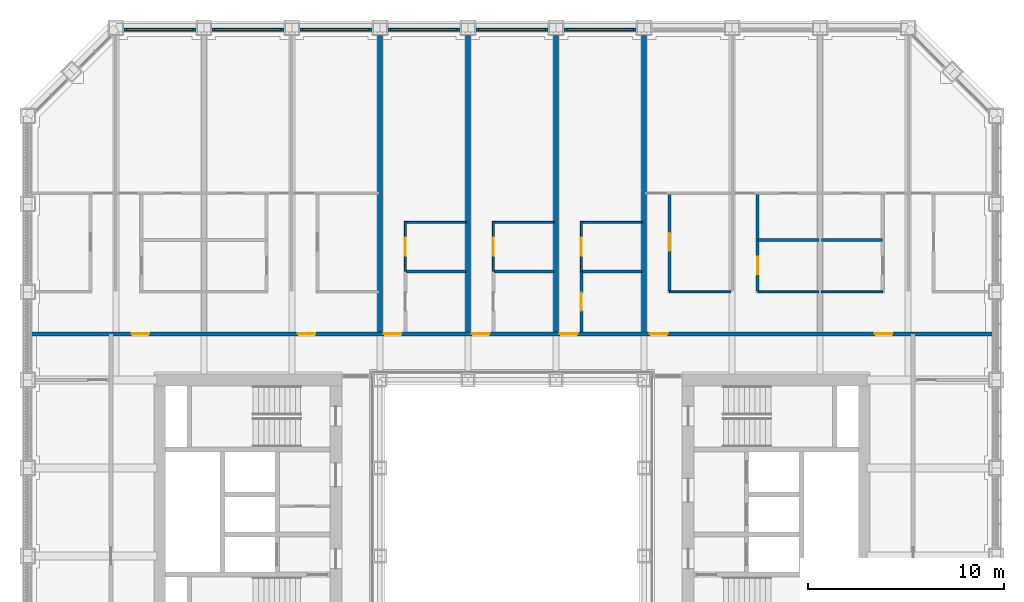
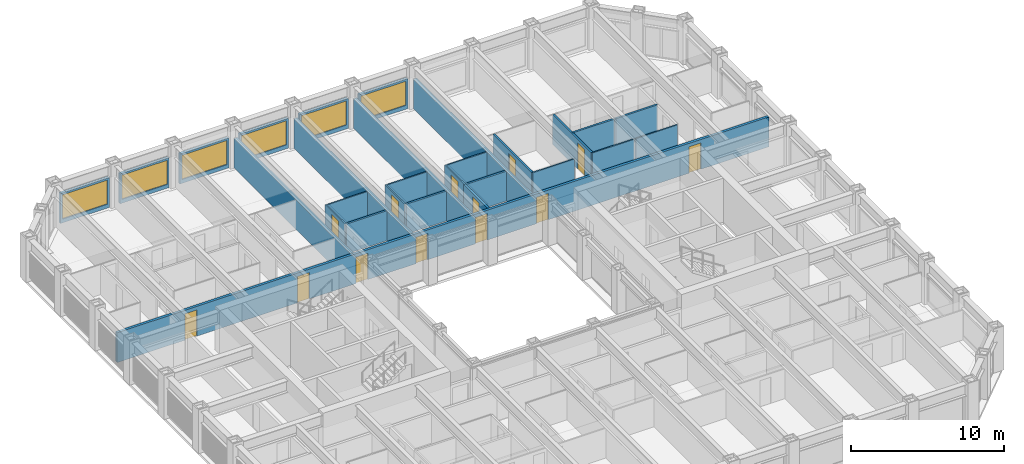
# One storey, part 14 of 21: 28 walls, 13 doors, 6 windows, 19 openings.
"""IFC4 building model written with IfcOpenShell, lengths in metres."""

import ifcopenshell
import ifcopenshell.guid

model = None  # the IFC model being written
_history = None  # IfcOwnerHistory: only IFC2X3 demands one
_inside = {}  # id of a spatial element -> (the spatial element, [elements in it])
_under = {}  # id of a project, library or spatial element -> (it, [spatial elements below it])
_declared = {}  # id of a project -> (the project, [libraries it declares])
_typed = {}  # id of a type object -> (the type object, [elements of that type])
_made_of = {}  # id of a material, layer set ... -> (it, [elements and type objects made of it])


def new_model(schema):
    """Start an empty IFC model of exactly this schema.

    Asked for "IFC4X3", IfcOpenShell would pick the latest addendum, in which some entities
    have other attributes; the version numbers below select the first issue.
    IFC2X3 requires an IfcOwnerHistory on every rooted entity: one is made here for all.
    """
    global model, _history
    if schema == "IFC4X3":
        model = ifcopenshell.file(schema_version=(4, 3, 0, 0))
    else:
        model = ifcopenshell.file(schema=schema)
    _inside.clear()
    _under.clear()
    _declared.clear()
    _typed.clear()
    _made_of.clear()
    _history = None
    if model.schema == "IFC2X3":
        org = make("IfcOrganization", Name="unknown")
        user = make(
            "IfcPersonAndOrganization",
            ThePerson=make("IfcPerson", FamilyName="unknown"),
            TheOrganization=org,
        )
        app = make(
            "IfcApplication",
            ApplicationDeveloper=org,
            Version="unknown",
            ApplicationFullName="unknown",
            ApplicationIdentifier="unknown",
        )
        _history = make(
            "IfcOwnerHistory",
            OwningUser=user,
            OwningApplication=app,
            ChangeAction="ADDED",
            CreationDate=0,
        )
    return model


def make(cls, **values):
    """One entity of the class cls with the attributes given. An attribute that is None is left unset."""
    return model.create_entity(
        cls, **{name: value for name, value in values.items() if value is not None}
    )


def rooted(cls, **values):
    """An entity with a GlobalId (a new one), such as an element, a storey or a relation."""
    return make(cls, GlobalId=ifcopenshell.guid.new(), OwnerHistory=_history, **values)


def si_unit(unit_type, name, prefix=None):
    """IfcSIUnit, for example si_unit("LENGTHUNIT", "METRE", prefix="MILLI")."""
    return make("IfcSIUnit", UnitType=unit_type, Prefix=prefix, Name=name)


def assignment(units):
    """IfcUnitAssignment: the units of a project."""
    return None if units is None else make("IfcUnitAssignment", Units=units)


def point(xyz):
    """IfcCartesianPoint."""
    return None if xyz is None else make("IfcCartesianPoint", Coordinates=xyz)


def direction(xyz):
    """IfcDirection."""
    return None if xyz is None else make("IfcDirection", DirectionRatios=xyz)


def frame(location, z_axis=None, x_axis=None):
    """IfcAxis2Placement3D, a coordinate frame: its origin and axes. An axis left out is left unset."""
    return make(
        "IfcAxis2Placement3D",
        Location=point(location),
        Axis=direction(z_axis),
        RefDirection=direction(x_axis),
    )


def frame_2d(location, x_axis=None):
    """IfcAxis2Placement2D, a coordinate frame in the plane: its origin and x axis."""
    return make(
        "IfcAxis2Placement2D", Location=point(location), RefDirection=direction(x_axis)
    )


def origin():
    """The frame at (0, 0, 0) with its axes left unset."""
    return frame((0.0, 0.0, 0.0))


def place(relative_to, where):
    """IfcLocalPlacement: puts the frame where relative to a parent placement (None: the world)."""
    return make(
        "IfcLocalPlacement", PlacementRelTo=relative_to, RelativePlacement=where
    )


def context(
    kind, dimensions, precision=None, world=None, true_north=None, identifier=None
):
    """IfcGeometricRepresentationContext, for example the 3D "Model" context."""
    return make(
        "IfcGeometricRepresentationContext",
        ContextIdentifier=identifier,
        ContextType=kind,
        CoordinateSpaceDimension=dimensions,
        Precision=precision,
        WorldCoordinateSystem=world,
        TrueNorth=true_north,
    )


def subcontext(parent, identifier, kind, view, scale=None):
    """IfcGeometricRepresentationSubContext, for example "Body" below "Model"."""
    return make(
        "IfcGeometricRepresentationSubContext",
        ContextIdentifier=identifier,
        ContextType=kind,
        ParentContext=parent,
        TargetScale=scale,
        TargetView=view,
    )


def project(units=None, contexts=None):
    """IfcProject with its units and contexts."""
    return rooted(
        "IfcProject",
        Name="project",
        RepresentationContexts=contexts,
        UnitsInContext=assignment(units),
    )


def spatial(cls, under=None, at=None, **own):
    """A site, building, storey or space (cls), placed at a placement, below another one or the project."""
    s = rooted(cls, ObjectPlacement=at, **own)
    if under is not None:
        _under.setdefault(under.id(), (under, []))[1].append(s)
    return s


def profile(cls, at=None, kind="AREA", **sizes):
    """A parametric profile (cls). Its sizes go by their IFC names, for example OverallWidth=200.0."""
    return make(cls, ProfileType=kind, Position=at, **sizes)


def rectangle(**sizes):
    """IfcRectangleProfileDef."""
    return profile("IfcRectangleProfileDef", **sizes)


def extrude(swept, where, along, depth):
    """IfcExtrudedAreaSolid: the profile swept, set in the frame where, extruded along a direction by depth."""
    return make(
        "IfcExtrudedAreaSolid",
        SweptArea=swept,
        Position=where,
        ExtrudedDirection=direction(along),
        Depth=depth,
    )


def shape(context_of_items, identifier, shape_type, items):
    """IfcShapeRepresentation: the items that make up one representation, for example the "Body"."""
    return make(
        "IfcShapeRepresentation",
        ContextOfItems=context_of_items,
        RepresentationIdentifier=identifier,
        RepresentationType=shape_type,
        Items=items,
    )


def material(Name=None, Category=None):
    """IfcMaterial."""
    return make("IfcMaterial", Name=Name, Category=Category)


def layer(
    of_material, thickness, ventilated=None, Name=None, Category=None, Priority=None
):
    """IfcMaterialLayer: one layer of a wall or slab, of a material (None: an air gap)."""
    return make(
        "IfcMaterialLayer",
        Material=of_material,
        LayerThickness=thickness,
        IsVentilated=ventilated,
        Name=Name,
        Category=Category,
        Priority=Priority,
    )


def layer_set(layers, Name=None):
    """IfcMaterialLayerSet."""
    return make("IfcMaterialLayerSet", MaterialLayers=layers, LayerSetName=Name)


def made_of(thing, what):
    """Note that an element or type object is made of a material, layer set ...; save() writes the relation."""
    if what is not None:
        _made_of.setdefault(what.id(), (what, []))[1].append(thing)
    return thing


def type_object(cls, material=None, **own):
    """A type object (cls), such as IfcWallType, which elements share."""
    return made_of(rooted(cls, **own), material)


def element(
    cls,
    number,
    at=None,
    inside=None,
    cuts=None,
    type_object=None,
    material=None,
    context=None,
    identifier="Body",
    shape_type=None,
    held_by="IfcProductDefinitionShape",
    body=None,
    shapes=None,
    **own,
):
    """One element of the class cls, such as IfcWall. Its Tag is "e" and its number.

    at: its placement. inside: the storey or other place that contains it. cuts: it is an
    opening in that element (IfcRelVoidsElement). A single representation is given by context,
    identifier, shape_type and body (its items); several are given by shapes. held_by: the class
    of the entity that holds the representations. save() writes the other relations.
    """
    e = rooted(cls, Tag="e%d" % number, ObjectPlacement=at, **own)
    if body is not None:
        shapes = [shape(context, identifier, shape_type, body)]
    if shapes is not None:
        e.Representation = make(held_by, Representations=shapes)
    if inside is not None:
        _inside.setdefault(inside.id(), (inside, []))[1].append(e)
    if cuts is not None:
        rooted(
            "IfcRelVoidsElement", RelatingBuildingElement=cuts, RelatedOpeningElement=e
        )
    if type_object is not None:
        _typed.setdefault(type_object.id(), (type_object, []))[1].append(e)
    return made_of(e, material)


def fill(opening, filler):
    """IfcRelFillsElement: the door or window that sits in an opening."""
    return rooted(
        "IfcRelFillsElement",
        RelatingOpeningElement=opening,
        RelatedBuildingElement=filler,
    )


def aggregate(whole, parts):
    """IfcRelAggregates: a whole, such as a stair, and the parts it consists of."""
    return rooted("IfcRelAggregates", RelatingObject=whole, RelatedObjects=parts)


def save(model, path):
    """Write the relations noted so far, then the file.

    IfcRelAggregates (storeys below a building ...), IfcRelContainedInSpatialStructure (elements
    in a storey), IfcRelDefinesByType, IfcRelAssociatesMaterial and IfcRelDeclares: one each for
    every whole, place, type object, material and project.
    """
    for whole, parts in _under.values():
        aggregate(whole, parts)
    for where, things in _inside.values():
        rooted(
            "IfcRelContainedInSpatialStructure",
            RelatedElements=things,
            RelatingStructure=where,
        )
    for kind, things in _typed.values():
        rooted("IfcRelDefinesByType", RelatedObjects=things, RelatingType=kind)
    for what, things in _made_of.values():
        rooted("IfcRelAssociatesMaterial", RelatedObjects=things, RelatingMaterial=what)
    for by, libraries in _declared.values():
        rooted("IfcRelDeclares", RelatingContext=by, RelatedDefinitions=libraries)
    model.write(path)


model = new_model("IFC4")

# Units and contexts
model_context = context("Model", 3, precision=1e-05, world=origin(), true_north=direction((0.0, 1.0)))
body_context = subcontext(model_context, "Body", "Model", "MODEL_VIEW")
ifc_project = project(units=[si_unit("LENGTHUNIT", "METRE"), si_unit("AREAUNIT", "SQUARE_METRE"), si_unit("VOLUMEUNIT", "CUBIC_METRE"), si_unit("PLANEANGLEUNIT", "RADIAN"), si_unit("MASSUNIT", "GRAM", prefix="KILO")], contexts=[model_context])

# Site, building, storey
site_placement = place(None, origin())
site = spatial("IfcSite", under=ifc_project, at=site_placement, CompositionType="ELEMENT")
building_placement = place(site_placement, origin())
building = spatial("IfcBuilding", under=site, at=building_placement, Name="Msasa Ring Tower", CompositionType="ELEMENT")
storey_placement = place(building_placement, frame((0.0, 0.0, 40.5)))
storey = spatial("IfcBuildingStorey", under=building, at=storey_placement, Name="L09", CompositionType="ELEMENT", Elevation=40.5)

# Wall, opening, window
ifc_material_1 = material(Name="Terracotta rainscreen on blockwork", Category="masonry")
ifc_layer_1 = layer(ifc_material_1, 0.199951171875)
ifc_layer_set_1 = layer_set([ifc_layer_1], Name="FW1 TERRACOTTA-LINED INFILL BAY WALL 200")
wall_type_1 = type_object("IfcWallType", Name="FW1 TERRACOTTA-LINED INFILL BAY WALL 200", PredefinedType="SOLIDWALL", material=ifc_layer_set_1)
wall_1_placement = place(storey_placement, frame((-19.844970703125, 24.64990234375, 0.0), z_axis=(0.0, 0.0, 1.0), x_axis=(1.0, 0.0, 0.0)))
wall_1 = element("IfcWall", 1, at=wall_1_placement, inside=storey, type_object=wall_type_1, Name="Infill bay wall N L09 22", PredefinedType="SOLIDWALL", context=body_context, shape_type="SweptSolid", body=[
    extrude(rectangle(XDim=3.68994140625, YDim=0.199951171875, at=frame_2d((1.844970703125, 0.0))), origin(), (0.0, 0.0, 1.0), 2.37890625),
])
opening_1_placement = place(wall_1_placement, frame((0.14501953125, 0.0, 0.300048828125)))
opening_1 = element("IfcOpeningElement", 2, at=opening_1_placement, cuts=wall_1, Name="Opening WN1", PredefinedType="OPENING", context=body_context, shape_type="SweptSolid", body=[
    extrude(rectangle(XDim=3.39990234375, YDim=1.928955078125, at=frame_2d((1.699951171875, 0.96435546875))), frame((0.0, 0.10986328125, 0.0), z_axis=(0.0, -1.0, 0.0), x_axis=(1.0, 0.0, 0.0)), (0.0, 0.0, 1.0), 0.219970703125),
])
ifc_material_2 = material(Name="Aluminium frame with clear glass", Category="aluminium")
window_type = type_object("IfcWindowType", Name="WN1 RESIDENCE WINDOW 3400x1929", PartitioningType="SINGLE_PANEL", PredefinedType="WINDOW", material=ifc_material_2)
window_1_placement = place(opening_1_placement, origin())
window_1 = element("IfcWindow", 3, at=window_1_placement, inside=storey, type_object=window_type, Name="Window N L09 22", OverallHeight=1.928955078125, OverallWidth=3.39990234375, PartitioningType="SINGLE_PANEL", PredefinedType="WINDOW", context=body_context, shape_type="SweptSolid", body=[
    extrude(rectangle(XDim=3.39990234375, YDim=1.928955078125, at=frame_2d((1.699951171875, 0.96435546875))), frame((0.0, 0.030029296875, 0.0), z_axis=(0.0, -1.0, 0.0), x_axis=(1.0, 0.0, 0.0)), (0.0, 0.0, 1.0), 0.06005859375),
])
fill(opening_1, window_1)

wall_2_placement = place(storey_placement, frame((-15.344970703125, 24.64990234375, 0.0), z_axis=(0.0, 0.0, 1.0), x_axis=(1.0, 0.0, 0.0)))
wall_2 = element("IfcWall", 4, at=wall_2_placement, inside=storey, type_object=wall_type_1, Name="Infill bay wall N L09 23", PredefinedType="SOLIDWALL", context=body_context, shape_type="SweptSolid", body=[
    extrude(rectangle(XDim=3.68994140625, YDim=0.199951171875, at=frame_2d((1.844970703125, 0.0))), origin(), (0.0, 0.0, 1.0), 2.37890625),
])
opening_2_placement = place(wall_2_placement, frame((0.14501953125, 0.0, 0.300048828125)))
opening_2 = element("IfcOpeningElement", 5, at=opening_2_placement, cuts=wall_2, Name="Opening WN1", PredefinedType="OPENING", context=body_context, shape_type="SweptSolid", body=[
    extrude(rectangle(XDim=3.39990234375, YDim=1.928955078125, at=frame_2d((1.699951171875, 0.96435546875))), frame((0.0, 0.10986328125, 0.0), z_axis=(0.0, -1.0, 0.0), x_axis=(1.0, 0.0, 0.0)), (0.0, 0.0, 1.0), 0.219970703125),
])
window_2_placement = place(opening_2_placement, origin())
window_2 = element("IfcWindow", 6, at=window_2_placement, inside=storey, type_object=window_type, Name="Window N L09 23", OverallHeight=1.928955078125, OverallWidth=3.39990234375, PartitioningType="SINGLE_PANEL", PredefinedType="WINDOW", context=body_context, shape_type="SweptSolid", body=[
    extrude(rectangle(XDim=3.39990234375, YDim=1.928955078125, at=frame_2d((1.699951171875, 0.96435546875))), frame((0.0, 0.030029296875, 0.0), z_axis=(0.0, -1.0, 0.0), x_axis=(1.0, 0.0, 0.0)), (0.0, 0.0, 1.0), 0.06005859375),
])
fill(opening_2, window_2)

wall_3_placement = place(storey_placement, frame((-10.844970703125, 24.64990234375, 0.0), z_axis=(0.0, 0.0, 1.0), x_axis=(1.0, 0.0, 0.0)))
wall_3 = element("IfcWall", 7, at=wall_3_placement, inside=storey, type_object=wall_type_1, Name="Infill bay wall N L09 24", PredefinedType="SOLIDWALL", context=body_context, shape_type="SweptSolid", body=[
    extrude(rectangle(XDim=3.68994140625, YDim=0.199951171875, at=frame_2d((1.844970703125, 0.0))), origin(), (0.0, 0.0, 1.0), 2.37890625),
])
opening_3_placement = place(wall_3_placement, frame((0.14501953125, 0.0, 0.300048828125)))
opening_3 = element("IfcOpeningElement", 8, at=opening_3_placement, cuts=wall_3, Name="Opening WN1", PredefinedType="OPENING", context=body_context, shape_type="SweptSolid", body=[
    extrude(rectangle(XDim=3.39990234375, YDim=1.928955078125, at=frame_2d((1.699951171875, 0.96435546875))), frame((0.0, 0.10986328125, 0.0), z_axis=(0.0, -1.0, 0.0), x_axis=(1.0, 0.0, 0.0)), (0.0, 0.0, 1.0), 0.219970703125),
])
window_3_placement = place(opening_3_placement, origin())
window_3 = element("IfcWindow", 9, at=window_3_placement, inside=storey, type_object=window_type, Name="Window N L09 24", OverallHeight=1.928955078125, OverallWidth=3.39990234375, PartitioningType="SINGLE_PANEL", PredefinedType="WINDOW", context=body_context, shape_type="SweptSolid", body=[
    extrude(rectangle(XDim=3.39990234375, YDim=1.928955078125, at=frame_2d((1.699951171875, 0.96435546875))), frame((0.0, 0.030029296875, 0.0), z_axis=(0.0, -1.0, 0.0), x_axis=(1.0, 0.0, 0.0)), (0.0, 0.0, 1.0), 0.06005859375),
])
fill(opening_3, window_3)

wall_4_placement = place(storey_placement, frame((-6.344970703125, 24.64990234375, 0.0), z_axis=(0.0, 0.0, 1.0), x_axis=(1.0, 0.0, 0.0)))
wall_4 = element("IfcWall", 10, at=wall_4_placement, inside=storey, type_object=wall_type_1, Name="Infill bay wall N L09 25", PredefinedType="SOLIDWALL", context=body_context, shape_type="SweptSolid", body=[
    extrude(rectangle(XDim=3.68994140625, YDim=0.199951171875, at=frame_2d((1.844970703125, 0.0))), origin(), (0.0, 0.0, 1.0), 2.37890625),
])
opening_4_placement = place(wall_4_placement, frame((0.14501953125, 0.0, 0.300048828125)))
opening_4 = element("IfcOpeningElement", 11, at=opening_4_placement, cuts=wall_4, Name="Opening WN1", PredefinedType="OPENING", context=body_context, shape_type="SweptSolid", body=[
    extrude(rectangle(XDim=3.39990234375, YDim=1.928955078125, at=frame_2d((1.699951171875, 0.96435546875))), frame((0.0, 0.10986328125, 0.0), z_axis=(0.0, -1.0, 0.0), x_axis=(1.0, 0.0, 0.0)), (0.0, 0.0, 1.0), 0.219970703125),
])
window_4_placement = place(opening_4_placement, origin())
window_4 = element("IfcWindow", 12, at=window_4_placement, inside=storey, type_object=window_type, Name="Window N L09 25", OverallHeight=1.928955078125, OverallWidth=3.39990234375, PartitioningType="SINGLE_PANEL", PredefinedType="WINDOW", context=body_context, shape_type="SweptSolid", body=[
    extrude(rectangle(XDim=3.39990234375, YDim=1.928955078125, at=frame_2d((1.699951171875, 0.96435546875))), frame((0.0, 0.030029296875, 0.0), z_axis=(0.0, -1.0, 0.0), x_axis=(1.0, 0.0, 0.0)), (0.0, 0.0, 1.0), 0.06005859375),
])
fill(opening_4, window_4)

wall_5_placement = place(storey_placement, frame((-1.844970703125, 24.64990234375, 0.0), z_axis=(0.0, 0.0, 1.0), x_axis=(1.0, 0.0, 0.0)))
wall_5 = element("IfcWall", 13, at=wall_5_placement, inside=storey, type_object=wall_type_1, Name="Infill bay wall N L09 26", PredefinedType="SOLIDWALL", context=body_context, shape_type="SweptSolid", body=[
    extrude(rectangle(XDim=3.68994140625, YDim=0.199951171875, at=frame_2d((1.844970703125, 0.0))), origin(), (0.0, 0.0, 1.0), 2.37890625),
])
opening_5_placement = place(wall_5_placement, frame((0.14501953125, 0.0, 0.300048828125)))
opening_5 = element("IfcOpeningElement", 14, at=opening_5_placement, cuts=wall_5, Name="Opening WN1", PredefinedType="OPENING", context=body_context, shape_type="SweptSolid", body=[
    extrude(rectangle(XDim=3.39990234375, YDim=1.928955078125, at=frame_2d((1.699951171875, 0.96435546875))), frame((0.0, 0.10986328125, 0.0), z_axis=(0.0, -1.0, 0.0), x_axis=(1.0, 0.0, 0.0)), (0.0, 0.0, 1.0), 0.219970703125),
])
window_5_placement = place(opening_5_placement, origin())
window_5 = element("IfcWindow", 15, at=window_5_placement, inside=storey, type_object=window_type, Name="Window N L09 26", OverallHeight=1.928955078125, OverallWidth=3.39990234375, PartitioningType="SINGLE_PANEL", PredefinedType="WINDOW", context=body_context, shape_type="SweptSolid", body=[
    extrude(rectangle(XDim=3.39990234375, YDim=1.928955078125, at=frame_2d((1.699951171875, 0.96435546875))), frame((0.0, 0.030029296875, 0.0), z_axis=(0.0, -1.0, 0.0), x_axis=(1.0, 0.0, 0.0)), (0.0, 0.0, 1.0), 0.06005859375),
])
fill(opening_5, window_5)

wall_6_placement = place(storey_placement, frame((2.655029296875, 24.64990234375, 0.0), z_axis=(0.0, 0.0, 1.0), x_axis=(1.0, 0.0, 0.0)))
wall_6 = element("IfcWall", 16, at=wall_6_placement, inside=storey, type_object=wall_type_1, Name="Infill bay wall N L09 27", PredefinedType="SOLIDWALL", context=body_context, shape_type="SweptSolid", body=[
    extrude(rectangle(XDim=3.68994140625, YDim=0.199951171875, at=frame_2d((1.844970703125, 0.0))), origin(), (0.0, 0.0, 1.0), 2.37890625),
])
opening_6_placement = place(wall_6_placement, frame((0.14501953125, 0.0, 0.300048828125)))
opening_6 = element("IfcOpeningElement", 17, at=opening_6_placement, cuts=wall_6, Name="Opening WN1", PredefinedType="OPENING", context=body_context, shape_type="SweptSolid", body=[
    extrude(rectangle(XDim=3.39990234375, YDim=1.928955078125, at=frame_2d((1.699951171875, 0.96435546875))), frame((0.0, 0.10986328125, 0.0), z_axis=(0.0, -1.0, 0.0), x_axis=(1.0, 0.0, 0.0)), (0.0, 0.0, 1.0), 0.219970703125),
])
window_6_placement = place(opening_6_placement, origin())
window_6 = element("IfcWindow", 18, at=window_6_placement, inside=storey, type_object=window_type, Name="Window N L09 27", OverallHeight=1.928955078125, OverallWidth=3.39990234375, PartitioningType="SINGLE_PANEL", PredefinedType="WINDOW", context=body_context, shape_type="SweptSolid", body=[
    extrude(rectangle(XDim=3.39990234375, YDim=1.928955078125, at=frame_2d((1.699951171875, 0.96435546875))), frame((0.0, 0.030029296875, 0.0), z_axis=(0.0, -1.0, 0.0), x_axis=(1.0, 0.0, 0.0)), (0.0, 0.0, 1.0), 0.06005859375),
])
fill(opening_6, window_6)

# Wall, openings, doors
ifc_material_3 = material(Name="Concrete blockwork", Category="masonry")
ifc_layer_2 = layer(ifc_material_3, 0.199951171875)
ifc_layer_set_2 = layer_set([ifc_layer_2], Name="PT1 CORRIDOR WALL 200")
wall_type_2 = type_object("IfcWallType", Name="PT1 CORRIDOR WALL 200", PredefinedType="PARTITIONING", material=ifc_layer_set_2)
wall_7_placement = place(storey_placement, frame((-24.550048828125, 9.10009765625, 0.0), z_axis=(0.0, 0.0, 1.0), x_axis=(1.0, 0.0, 0.0)))
wall_7 = element("IfcWall", 19, at=wall_7_placement, inside=storey, type_object=wall_type_2, Name="Corridor wall L09-CORRN0", PredefinedType="PARTITIONING", context=body_context, shape_type="SweptSolid", body=[
    extrude(rectangle(XDim=49.10009765625, YDim=0.199951171875, at=frame_2d((24.550048828125, 0.0))), origin(), (0.0, 0.0, 1.0), 2.373291015625),
])
opening_7_placement = place(wall_7_placement, frame((5.10009765625, 0.0, 0.0)))
opening_7 = element("IfcOpeningElement", 20, at=opening_7_placement, cuts=wall_7, Name="Opening RB-027", PredefinedType="OPENING", context=body_context, shape_type="SweptSolid", body=[
    extrude(rectangle(XDim=0.89990234375, YDim=2.10009765625, at=frame_2d((0.449951171875, 1.050048828125))), frame((0.0, 0.10986328125, 0.0), z_axis=(0.0, -1.0, 0.0), x_axis=(1.0, 0.0, 0.0)), (0.0, 0.0, 1.0), 0.219970703125),
])
opening_8_placement = place(wall_7_placement, frame((13.60009765625, 0.0, 0.0)))
opening_8 = element("IfcOpeningElement", 21, at=opening_8_placement, cuts=wall_7, Name="Opening RB-028", PredefinedType="OPENING", context=body_context, shape_type="SweptSolid", body=[
    extrude(rectangle(XDim=0.89990234375, YDim=2.10009765625, at=frame_2d((0.449951171875, 1.050048828125))), frame((0.0, 0.10986328125, 0.0), z_axis=(0.0, -1.0, 0.0), x_axis=(1.0, 0.0, 0.0)), (0.0, 0.0, 1.0), 0.219970703125),
])
opening_9_placement = place(wall_7_placement, frame((18.0, 0.0, 0.0)))
opening_9 = element("IfcOpeningElement", 22, at=opening_9_placement, cuts=wall_7, Name="Opening RB-029", PredefinedType="OPENING", context=body_context, shape_type="SweptSolid", body=[
    extrude(rectangle(XDim=0.89990234375, YDim=2.10009765625, at=frame_2d((0.449951171875, 1.050048828125))), frame((0.0, 0.10986328125, 0.0), z_axis=(0.0, -1.0, 0.0), x_axis=(1.0, 0.0, 0.0)), (0.0, 0.0, 1.0), 0.219970703125),
])
opening_10_placement = place(wall_7_placement, frame((22.5, 0.0, 0.0)))
opening_10 = element("IfcOpeningElement", 23, at=opening_10_placement, cuts=wall_7, Name="Opening RB-030", PredefinedType="OPENING", context=body_context, shape_type="SweptSolid", body=[
    extrude(rectangle(XDim=0.89990234375, YDim=2.10009765625, at=frame_2d((0.449951171875, 1.050048828125))), frame((0.0, 0.10986328125, 0.0), z_axis=(0.0, -1.0, 0.0), x_axis=(1.0, 0.0, 0.0)), (0.0, 0.0, 1.0), 0.219970703125),
])
opening_11_placement = place(wall_7_placement, frame((27.0, 0.0, 0.0)))
opening_11 = element("IfcOpeningElement", 24, at=opening_11_placement, cuts=wall_7, Name="Opening RB-031", PredefinedType="OPENING", context=body_context, shape_type="SweptSolid", body=[
    extrude(rectangle(XDim=0.89990234375, YDim=2.10009765625, at=frame_2d((0.449951171875, 1.050048828125))), frame((0.0, 0.10986328125, 0.0), z_axis=(0.0, -1.0, 0.0), x_axis=(1.0, 0.0, 0.0)), (0.0, 0.0, 1.0), 0.219970703125),
])
opening_12_placement = place(wall_7_placement, frame((31.60009765625, 0.0, 0.0)))
opening_12 = element("IfcOpeningElement", 25, at=opening_12_placement, cuts=wall_7, Name="Opening RB-032", PredefinedType="OPENING", context=body_context, shape_type="SweptSolid", body=[
    extrude(rectangle(XDim=0.89990234375, YDim=2.10009765625, at=frame_2d((0.449951171875, 1.050048828125))), frame((0.0, 0.10986328125, 0.0), z_axis=(0.0, -1.0, 0.0), x_axis=(1.0, 0.0, 0.0)), (0.0, 0.0, 1.0), 0.219970703125),
])
opening_13_placement = place(wall_7_placement, frame((43.10009765625, 0.0, 0.0)))
opening_13 = element("IfcOpeningElement", 26, at=opening_13_placement, cuts=wall_7, Name="Opening RB-033", PredefinedType="OPENING", context=body_context, shape_type="SweptSolid", body=[
    extrude(rectangle(XDim=0.89990234375, YDim=2.10009765625, at=frame_2d((0.449951171875, 1.050048828125))), frame((0.0, 0.10986328125, 0.0), z_axis=(0.0, -1.0, 0.0), x_axis=(1.0, 0.0, 0.0)), (0.0, 0.0, 1.0), 0.219970703125),
])
ifc_material_4 = material(Name="Timber door leaf in a steel frame", Category="steel")
door_type_1 = type_object("IfcDoorType", Name="D2 ENTRANCE DOOR 900x2100", OperationType="SINGLE_SWING_LEFT", PredefinedType="DOOR", material=ifc_material_4)
door_1_placement = place(opening_7_placement, origin())
door_1 = element("IfcDoor", 27, at=door_1_placement, inside=storey, type_object=door_type_1, Name="Door L09-UN00", OperationType="SINGLE_SWING_LEFT", OverallHeight=2.10009765625, OverallWidth=0.89990234375, PredefinedType="DOOR", context=body_context, shape_type="SweptSolid", body=[
    extrude(rectangle(XDim=0.89990234375, YDim=2.10009765625, at=frame_2d((0.449951171875, 1.050048828125))), frame((0.0, 0.02490234375, 0.0), z_axis=(0.0, -1.0, 0.0), x_axis=(1.0, 0.0, 0.0)), (0.0, 0.0, 1.0), 0.050048828125),
])
fill(opening_7, door_1)
door_2_placement = place(opening_8_placement, origin())
door_2 = element("IfcDoor", 28, at=door_2_placement, inside=storey, type_object=door_type_1, Name="Door L09-UN01", OperationType="SINGLE_SWING_LEFT", OverallHeight=2.10009765625, OverallWidth=0.89990234375, PredefinedType="DOOR", context=body_context, shape_type="SweptSolid", body=[
    extrude(rectangle(XDim=0.89990234375, YDim=2.10009765625, at=frame_2d((0.449951171875, 1.050048828125))), frame((0.0, 0.02490234375, 0.0), z_axis=(0.0, -1.0, 0.0), x_axis=(1.0, 0.0, 0.0)), (0.0, 0.0, 1.0), 0.050048828125),
])
fill(opening_8, door_2)
door_3_placement = place(opening_9_placement, origin())
door_3 = element("IfcDoor", 29, at=door_3_placement, inside=storey, type_object=door_type_1, Name="Door L09-UN02", OperationType="SINGLE_SWING_LEFT", OverallHeight=2.10009765625, OverallWidth=0.89990234375, PredefinedType="DOOR", context=body_context, shape_type="SweptSolid", body=[
    extrude(rectangle(XDim=0.89990234375, YDim=2.10009765625, at=frame_2d((0.449951171875, 1.050048828125))), frame((0.0, 0.02490234375, 0.0), z_axis=(0.0, -1.0, 0.0), x_axis=(1.0, 0.0, 0.0)), (0.0, 0.0, 1.0), 0.050048828125),
])
fill(opening_9, door_3)
door_4_placement = place(opening_10_placement, origin())
door_4 = element("IfcDoor", 30, at=door_4_placement, inside=storey, type_object=door_type_1, Name="Door L09-UN03", OperationType="SINGLE_SWING_LEFT", OverallHeight=2.10009765625, OverallWidth=0.89990234375, PredefinedType="DOOR", context=body_context, shape_type="SweptSolid", body=[
    extrude(rectangle(XDim=0.89990234375, YDim=2.10009765625, at=frame_2d((0.449951171875, 1.050048828125))), frame((0.0, 0.02490234375, 0.0), z_axis=(0.0, -1.0, 0.0), x_axis=(1.0, 0.0, 0.0)), (0.0, 0.0, 1.0), 0.050048828125),
])
fill(opening_10, door_4)
door_5_placement = place(opening_11_placement, origin())
door_5 = element("IfcDoor", 31, at=door_5_placement, inside=storey, type_object=door_type_1, Name="Door L09-UN04", OperationType="SINGLE_SWING_RIGHT", OverallHeight=2.10009765625, OverallWidth=0.89990234375, PredefinedType="DOOR", context=body_context, shape_type="SweptSolid", body=[
    extrude(rectangle(XDim=0.89990234375, YDim=2.10009765625, at=frame_2d((0.449951171875, 1.050048828125))), frame((0.0, 0.02490234375, 0.0), z_axis=(0.0, -1.0, 0.0), x_axis=(1.0, 0.0, 0.0)), (0.0, 0.0, 1.0), 0.050048828125),
])
fill(opening_11, door_5)
door_6_placement = place(opening_12_placement, origin())
door_6 = element("IfcDoor", 32, at=door_6_placement, inside=storey, type_object=door_type_1, Name="Door L09-UN05", OperationType="SINGLE_SWING_RIGHT", OverallHeight=2.10009765625, OverallWidth=0.89990234375, PredefinedType="DOOR", context=body_context, shape_type="SweptSolid", body=[
    extrude(rectangle(XDim=0.89990234375, YDim=2.10009765625, at=frame_2d((0.449951171875, 1.050048828125))), frame((0.0, 0.02490234375, 0.0), z_axis=(0.0, -1.0, 0.0), x_axis=(1.0, 0.0, 0.0)), (0.0, 0.0, 1.0), 0.050048828125),
])
fill(opening_12, door_6)
door_7_placement = place(opening_13_placement, origin())
door_7 = element("IfcDoor", 33, at=door_7_placement, inside=storey, type_object=door_type_1, Name="Door L09-UN06", OperationType="SINGLE_SWING_RIGHT", OverallHeight=2.10009765625, OverallWidth=0.89990234375, PredefinedType="DOOR", context=body_context, shape_type="SweptSolid", body=[
    extrude(rectangle(XDim=0.89990234375, YDim=2.10009765625, at=frame_2d((0.449951171875, 1.050048828125))), frame((0.0, 0.02490234375, 0.0), z_axis=(0.0, -1.0, 0.0), x_axis=(1.0, 0.0, 0.0)), (0.0, 0.0, 1.0), 0.050048828125),
])
fill(opening_13, door_7)

# Wall
ifc_material_5 = material(Name="Gypsum board on steel studs", Category="steel")
ifc_layer_3 = layer(ifc_material_5, 0.10009765625)
ifc_layer_set_3 = layer_set([ifc_layer_3], Name="PT2 STUD PARTITION 100")
wall_type_3 = type_object("IfcWallType", Name="PT2 STUD PARTITION 100", PredefinedType="PARTITIONING", material=ifc_layer_set_3)
wall_8_placement = place(storey_placement, frame((-5.39990234375, 14.800048828125, 0.0), z_axis=(0.0, 0.0, 1.0), x_axis=(1.0, 0.0, 0.0)))
element("IfcWall", 34, at=wall_8_placement, inside=storey, type_object=wall_type_3, Name="Partition L09-UN02KY", PredefinedType="PARTITIONING", context=body_context, shape_type="SweptSolid", body=[
    extrude(rectangle(XDim=3.0498046875, YDim=0.10009765625, at=frame_2d((1.52490234375, 0.0))), origin(), (0.0, 0.0, 1.0), 2.373291015625),
])

# Wall, opening, door
wall_9_placement = place(storey_placement, frame((-5.449951171875, 12.300048828125, 0.0), z_axis=(0.0, 0.0, 1.0), x_axis=(0.0, 1.0, 0.0)))
wall_9 = element("IfcWall", 35, at=wall_9_placement, inside=storey, type_object=wall_type_3, Name="Partition L09-UN02KX", PredefinedType="PARTITIONING", context=body_context, shape_type="SweptSolid", body=[
    extrude(rectangle(XDim=2.550048828125, YDim=0.10009765625, at=frame_2d((1.27490234375, 0.0))), origin(), (0.0, 0.0, 1.0), 2.373291015625),
])
opening_14_placement = place(wall_9_placement, frame((0.81005859375, 0.0, 0.0)))
opening_14 = element("IfcOpeningElement", 36, at=opening_14_placement, cuts=wall_9, Name="Opening RB-017", PredefinedType="OPENING", context=body_context, shape_type="SweptSolid", body=[
    extrude(rectangle(XDim=0.89990234375, YDim=2.10009765625, at=frame_2d((0.449951171875, 1.050048828125))), frame((0.0, 0.06005859375, 0.0), z_axis=(0.0, -1.0, 0.0), x_axis=(1.0, 0.0, 0.0)), (0.0, 0.0, 1.0), 0.1201171875),
])
ifc_material_6 = material(Name="Timber door leaf in a steel frame", Category="steel")
door_type_2 = type_object("IfcDoorType", Name="D22 INTERNAL HALL DOOR 900x2100", OperationType="SINGLE_SWING_LEFT", PredefinedType="DOOR", material=ifc_material_6)
door_8_placement = place(opening_14_placement, origin())
door_8 = element("IfcDoor", 37, at=door_8_placement, inside=storey, type_object=door_type_2, Name="Door L09-UN02K", OperationType="SINGLE_SWING_LEFT", OverallHeight=2.10009765625, OverallWidth=0.89990234375, PredefinedType="DOOR", context=body_context, shape_type="SweptSolid", body=[
    extrude(rectangle(XDim=0.89990234375, YDim=2.10009765625, at=frame_2d((0.449951171875, 1.050048828125))), frame((0.0, 0.02490234375, 0.0), z_axis=(0.0, -1.0, 0.0), x_axis=(1.0, 0.0, 0.0)), (0.0, 0.0, 1.0), 0.050048828125),
])
fill(opening_14, door_8)

# Wall
wall_10_placement = place(storey_placement, frame((-0.89990234375, 14.800048828125, 0.0), z_axis=(0.0, 0.0, 1.0), x_axis=(1.0, 0.0, 0.0)))
element("IfcWall", 38, at=wall_10_placement, inside=storey, type_object=wall_type_3, Name="Partition L09-UN03KY", PredefinedType="PARTITIONING", context=body_context, shape_type="SweptSolid", body=[
    extrude(rectangle(XDim=3.0498046875, YDim=0.10009765625, at=frame_2d((1.52490234375, 0.0))), origin(), (0.0, 0.0, 1.0), 2.373291015625),
])

# Wall, opening, door
wall_11_placement = place(storey_placement, frame((-0.949951171875, 12.300048828125, 0.0), z_axis=(0.0, 0.0, 1.0), x_axis=(0.0, 1.0, 0.0)))
wall_11 = element("IfcWall", 39, at=wall_11_placement, inside=storey, type_object=wall_type_3, Name="Partition L09-UN03KX", PredefinedType="PARTITIONING", context=body_context, shape_type="SweptSolid", body=[
    extrude(rectangle(XDim=2.550048828125, YDim=0.10009765625, at=frame_2d((1.27490234375, 0.0))), origin(), (0.0, 0.0, 1.0), 2.373291015625),
])
opening_15_placement = place(wall_11_placement, frame((0.81005859375, 0.0, 0.0)))
opening_15 = element("IfcOpeningElement", 40, at=opening_15_placement, cuts=wall_11, Name="Opening RB-018", PredefinedType="OPENING", context=body_context, shape_type="SweptSolid", body=[
    extrude(rectangle(XDim=0.89990234375, YDim=2.10009765625, at=frame_2d((0.449951171875, 1.050048828125))), frame((0.0, 0.06005859375, 0.0), z_axis=(0.0, -1.0, 0.0), x_axis=(1.0, 0.0, 0.0)), (0.0, 0.0, 1.0), 0.1201171875),
])
door_9_placement = place(opening_15_placement, origin())
door_9 = element("IfcDoor", 41, at=door_9_placement, inside=storey, type_object=door_type_2, Name="Door L09-UN03K", OperationType="SINGLE_SWING_LEFT", OverallHeight=2.10009765625, OverallWidth=0.89990234375, PredefinedType="DOOR", context=body_context, shape_type="SweptSolid", body=[
    extrude(rectangle(XDim=0.89990234375, YDim=2.10009765625, at=frame_2d((0.449951171875, 1.050048828125))), frame((0.0, 0.02490234375, 0.0), z_axis=(0.0, -1.0, 0.0), x_axis=(1.0, 0.0, 0.0)), (0.0, 0.0, 1.0), 0.050048828125),
])
fill(opening_15, door_9)

# Wall
wall_12_placement = place(storey_placement, frame((3.60009765625, 14.800048828125, 0.0), z_axis=(0.0, 0.0, 1.0), x_axis=(1.0, 0.0, 0.0)))
element("IfcWall", 42, at=wall_12_placement, inside=storey, type_object=wall_type_3, Name="Partition L09-UN04KY", PredefinedType="PARTITIONING", context=body_context, shape_type="SweptSolid", body=[
    extrude(rectangle(XDim=3.0498046875, YDim=0.10009765625, at=frame_2d((1.52490234375, 0.0))), origin(), (0.0, 0.0, 1.0), 2.373291015625),
])

# Wall, opening, door
wall_13_placement = place(storey_placement, frame((3.550048828125, 12.300048828125, 0.0), z_axis=(0.0, 0.0, 1.0), x_axis=(0.0, 1.0, 0.0)))
wall_13 = element("IfcWall", 43, at=wall_13_placement, inside=storey, type_object=wall_type_3, Name="Partition L09-UN04KX", PredefinedType="PARTITIONING", context=body_context, shape_type="SweptSolid", body=[
    extrude(rectangle(XDim=2.550048828125, YDim=0.10009765625, at=frame_2d((1.27490234375, 0.0))), origin(), (0.0, 0.0, 1.0), 2.373291015625),
])
opening_16_placement = place(wall_13_placement, frame((0.81005859375, 0.0, 0.0)))
opening_16 = element("IfcOpeningElement", 44, at=opening_16_placement, cuts=wall_13, Name="Opening RB-019", PredefinedType="OPENING", context=body_context, shape_type="SweptSolid", body=[
    extrude(rectangle(XDim=0.89990234375, YDim=2.10009765625, at=frame_2d((0.449951171875, 1.050048828125))), frame((0.0, 0.06005859375, 0.0), z_axis=(0.0, -1.0, 0.0), x_axis=(1.0, 0.0, 0.0)), (0.0, 0.0, 1.0), 0.1201171875),
])
door_10_placement = place(opening_16_placement, origin())
door_10 = element("IfcDoor", 45, at=door_10_placement, inside=storey, type_object=door_type_2, Name="Door L09-UN04K", OperationType="SINGLE_SWING_LEFT", OverallHeight=2.10009765625, OverallWidth=0.89990234375, PredefinedType="DOOR", context=body_context, shape_type="SweptSolid", body=[
    extrude(rectangle(XDim=0.89990234375, YDim=2.10009765625, at=frame_2d((0.449951171875, 1.050048828125))), frame((0.0, 0.02490234375, 0.0), z_axis=(0.0, -1.0, 0.0), x_axis=(1.0, 0.0, 0.0)), (0.0, 0.0, 1.0), 0.050048828125),
])
fill(opening_16, door_10)

# Walls
for number, where, z_axis, x_axis, name in (
    (46, (8.050048828125, 11.25, 0.0), (0.0, 0.0, 1.0), (1.0, 0.0, 0.0), "Partition L09-UN05HY0"),
    (47, (12.550048828125, 11.25, 0.0), (0.0, 0.0, 1.0), (1.0, 0.0, 0.0), "Partition L09-UN05HY1"),
    (48, (15.81005859375, 11.25, 0.0), (0.0, 0.0, 1.0), (1.0, 0.0, 0.0), "Partition L09-UN06HY1"),
):
    element("IfcWall", number, at=place(storey_placement, frame(where, z_axis=z_axis, x_axis=x_axis)), inside=storey, type_object=wall_type_3, Name=name, PredefinedType="PARTITIONING", context=body_context, shape_type="SweptSolid", body=[
        extrude(rectangle(XDim=3.139892578125, YDim=0.10009765625, at=frame_2d((1.56982421875, 0.0))), origin(), (0.0, 0.0, 1.0), 2.373291015625),
    ])
ifc_material_7 = material(Name="Dense concrete blockwork, plastered both faces", Category="masonry")
ifc_layer_4 = layer(ifc_material_7, 0.25)
ifc_layer_set_4 = layer_set([ifc_layer_4], Name="PT3 APARTMENT SEPARATING WALL 250")
wall_type_4 = type_object("IfcWallType", Name="PT3 APARTMENT SEPARATING WALL 250", PredefinedType="PARTITIONING", material=ifc_layer_set_4)
for number, where, z_axis, x_axis, name in (
    (49, (-6.75, 9.199951171875, 0.0), (0.0, 0.0, 1.0), (0.0, 1.0, 0.0), "Party wall L09-PWN-6.75"),
    (50, (-2.25, 9.199951171875, 0.0), (0.0, 0.0, 1.0), (0.0, 1.0, 0.0), "Party wall L09-PWN-2.25"),
    (51, (2.25, 9.199951171875, 0.0), (0.0, 0.0, 1.0), (0.0, 1.0, 0.0), "Party wall L09-PWN+2.25"),
    (52, (6.75, 9.199951171875, 0.0), (0.0, 0.0, 1.0), (0.0, 1.0, 0.0), "Party wall L09-PWN+6.75"),
):
    element("IfcWall", number, at=place(storey_placement, frame(where, z_axis=z_axis, x_axis=x_axis)), inside=storey, type_object=wall_type_4, Name=name, PredefinedType="PARTITIONING", context=body_context, shape_type="SweptSolid", body=[
        extrude(rectangle(XDim=15.150146484375, YDim=0.25, at=frame_2d((7.5751953125, 0.0))), origin(), (0.0, 0.0, 1.0), 2.373291015625),
    ])
ifc_material_8 = material(Name="Moisture-resistant board on steel studs with a concealed cistern and pipe void, tiled", Category="steel")
ifc_layer_5 = layer(ifc_material_8, 0.14990234375)
ifc_layer_set_5 = layer_set([ifc_layer_5], Name="PT4 BATHROOM WET WALL 150")
wall_type_5 = type_object("IfcWallType", Name="PT4 BATHROOM WET WALL 150", PredefinedType="PARTITIONING", material=ifc_layer_set_5)
for number, where, z_axis, x_axis, name in (
    (53, (-5.39990234375, 12.300048828125, 0.0), (0.0, 0.0, 1.0), (1.0, 0.0, 0.0), "Partition L09-UN02BY"),
    (54, (-0.89990234375, 12.300048828125, 0.0), (0.0, 0.0, 1.0), (1.0, 0.0, 0.0), "Partition L09-UN03BY"),
):
    element("IfcWall", number, at=place(storey_placement, frame(where, z_axis=z_axis, x_axis=x_axis)), inside=storey, type_object=wall_type_5, Name=name, PredefinedType="PARTITIONING", context=body_context, shape_type="SweptSolid", body=[
        extrude(rectangle(XDim=3.0498046875, YDim=0.14990234375, at=frame_2d((1.52490234375, 0.0))), origin(), (0.0, 0.0, 1.0), 2.373291015625),
    ])

# Wall, opening, door
wall_14_placement = place(storey_placement, frame((3.550048828125, 9.199951171875, 0.0), z_axis=(0.0, 0.0, 1.0), x_axis=(0.0, 1.0, 0.0)))
wall_14 = element("IfcWall", 55, at=wall_14_placement, inside=storey, type_object=wall_type_5, Name="Partition L09-UN04BX", PredefinedType="PARTITIONING", context=body_context, shape_type="SweptSolid", body=[
    extrude(rectangle(XDim=3.150146484375, YDim=0.14990234375, at=frame_2d((1.5751953125, 0.0))), origin(), (0.0, 0.0, 1.0), 2.373291015625),
])
opening_17_placement = place(wall_14_placement, frame((1.10009765625, 0.0, 0.0)))
opening_17 = element("IfcOpeningElement", 56, at=opening_17_placement, cuts=wall_14, Name="Opening RB-026", PredefinedType="OPENING", context=body_context, shape_type="SweptSolid", body=[
    extrude(rectangle(XDim=0.89990234375, YDim=2.10009765625, at=frame_2d((0.449951171875, 1.050048828125))), frame((0.0, 0.0849609375, 0.0), z_axis=(0.0, -1.0, 0.0), x_axis=(1.0, 0.0, 0.0)), (0.0, 0.0, 1.0), 0.169921875),
])
ifc_material_9 = material(Name="Timber door leaf in a steel frame", Category="steel")
door_type_3 = type_object("IfcDoorType", Name="D3 BATHROOM DOOR 900x2100", OperationType="SINGLE_SWING_LEFT", PredefinedType="DOOR", material=ifc_material_9)
door_11_placement = place(opening_17_placement, origin())
door_11 = element("IfcDoor", 57, at=door_11_placement, inside=storey, type_object=door_type_3, Name="Door L09-UN04B", OperationType="SINGLE_SWING_LEFT", OverallHeight=2.10009765625, OverallWidth=0.89990234375, PredefinedType="DOOR", context=body_context, shape_type="SweptSolid", body=[
    extrude(rectangle(XDim=0.89990234375, YDim=2.10009765625, at=frame_2d((0.449951171875, 1.050048828125))), frame((0.0, 0.02490234375, 0.0), z_axis=(0.0, -1.0, 0.0), x_axis=(1.0, 0.0, 0.0)), (0.0, 0.0, 1.0), 0.050048828125),
])
fill(opening_17, door_11)

# Wall
wall_15_placement = place(storey_placement, frame((3.60009765625, 12.300048828125, 0.0), z_axis=(0.0, 0.0, 1.0), x_axis=(1.0, 0.0, 0.0)))
element("IfcWall", 58, at=wall_15_placement, inside=storey, type_object=wall_type_5, Name="Partition L09-UN04BY", PredefinedType="PARTITIONING", context=body_context, shape_type="SweptSolid", body=[
    extrude(rectangle(XDim=3.0498046875, YDim=0.14990234375, at=frame_2d((1.52490234375, 0.0))), origin(), (0.0, 0.0, 1.0), 2.373291015625),
])

# Wall, opening, door
wall_16_placement = place(storey_placement, frame((8.050048828125, 11.300048828125, 0.0), z_axis=(0.0, 0.0, 1.0), x_axis=(0.0, 1.0, 0.0)))
wall_16 = element("IfcWall", 59, at=wall_16_placement, inside=storey, type_object=wall_type_5, Name="Partition L09-UN05SX0", PredefinedType="PARTITIONING", context=body_context, shape_type="SweptSolid", body=[
    extrude(rectangle(XDim=5.0, YDim=0.14990234375, at=frame_2d((2.5, 0.0))), origin(), (0.0, 0.0, 1.0), 2.373291015625),
])
opening_18_placement = place(wall_16_placement, frame((2.050048828125, 0.0, 0.0)))
opening_18 = element("IfcOpeningElement", 60, at=opening_18_placement, cuts=wall_16, Name="Opening RB-015", PredefinedType="OPENING", context=body_context, shape_type="SweptSolid", body=[
    extrude(rectangle(XDim=0.89990234375, YDim=2.10009765625, at=frame_2d((0.449951171875, 1.050048828125))), frame((0.0, 0.0849609375, 0.0), z_axis=(0.0, -1.0, 0.0), x_axis=(1.0, 0.0, 0.0)), (0.0, 0.0, 1.0), 0.169921875),
])
door_12_placement = place(opening_18_placement, origin())
door_12 = element("IfcDoor", 61, at=door_12_placement, inside=storey, type_object=door_type_2, Name="Door L09-UN05K", OperationType="SINGLE_SWING_LEFT", OverallHeight=2.10009765625, OverallWidth=0.89990234375, PredefinedType="DOOR", context=body_context, shape_type="SweptSolid", body=[
    extrude(rectangle(XDim=0.89990234375, YDim=2.10009765625, at=frame_2d((0.449951171875, 1.050048828125))), frame((0.0, 0.02490234375, 0.0), z_axis=(0.0, -1.0, 0.0), x_axis=(1.0, 0.0, 0.0)), (0.0, 0.0, 1.0), 0.050048828125),
])
fill(opening_18, door_12)

wall_17_placement = place(storey_placement, frame((12.550048828125, 11.300048828125, 0.0), z_axis=(0.0, 0.0, 1.0), x_axis=(0.0, 1.0, 0.0)))
wall_17 = element("IfcWall", 62, at=wall_17_placement, inside=storey, type_object=wall_type_5, Name="Partition L09-UN05SX1", PredefinedType="PARTITIONING", context=body_context, shape_type="SweptSolid", body=[
    extrude(rectangle(XDim=5.0, YDim=0.14990234375, at=frame_2d((2.5, 0.0))), origin(), (0.0, 0.0, 1.0), 2.373291015625),
])
opening_19_placement = place(wall_17_placement, frame((0.85009765625, 0.0, 0.0)))
opening_19 = element("IfcOpeningElement", 63, at=opening_19_placement, cuts=wall_17, Name="Opening RB-022", PredefinedType="OPENING", context=body_context, shape_type="SweptSolid", body=[
    extrude(rectangle(XDim=0.89990234375, YDim=2.10009765625, at=frame_2d((0.449951171875, 1.050048828125))), frame((0.0, 0.0849609375, 0.0), z_axis=(0.0, -1.0, 0.0), x_axis=(1.0, 0.0, 0.0)), (0.0, 0.0, 1.0), 0.169921875),
])
door_13_placement = place(opening_19_placement, origin())
door_13 = element("IfcDoor", 64, at=door_13_placement, inside=storey, type_object=door_type_3, Name="Door L09-UN05B1", OperationType="SINGLE_SWING_LEFT", OverallHeight=2.10009765625, OverallWidth=0.89990234375, PredefinedType="DOOR", context=body_context, shape_type="SweptSolid", body=[
    extrude(rectangle(XDim=0.89990234375, YDim=2.10009765625, at=frame_2d((0.449951171875, 1.050048828125))), frame((0.0, 0.02490234375, 0.0), z_axis=(0.0, -1.0, 0.0), x_axis=(1.0, 0.0, 0.0)), (0.0, 0.0, 1.0), 0.050048828125),
])
fill(opening_19, door_13)

# Walls
for number, where, z_axis, x_axis, name in (
    (65, (12.550048828125, 13.89990234375, 0.0), (0.0, 0.0, 1.0), (1.0, 0.0, 0.0), "Partition L09-UN05SB1"),
    (66, (15.81005859375, 13.89990234375, 0.0), (0.0, 0.0, 1.0), (1.0, 0.0, 0.0), "Partition L09-UN06SB1"),
):
    element("IfcWall", number, at=place(storey_placement, frame(where, z_axis=z_axis, x_axis=x_axis)), inside=storey, type_object=wall_type_5, Name=name, PredefinedType="PARTITIONING", context=body_context, shape_type="SweptSolid", body=[
        extrude(rectangle(XDim=3.139892578125, YDim=0.14990234375, at=frame_2d((1.56982421875, 0.0))), origin(), (0.0, 0.0, 1.0), 2.373291015625),
    ])

save(model, "model.ifc")
